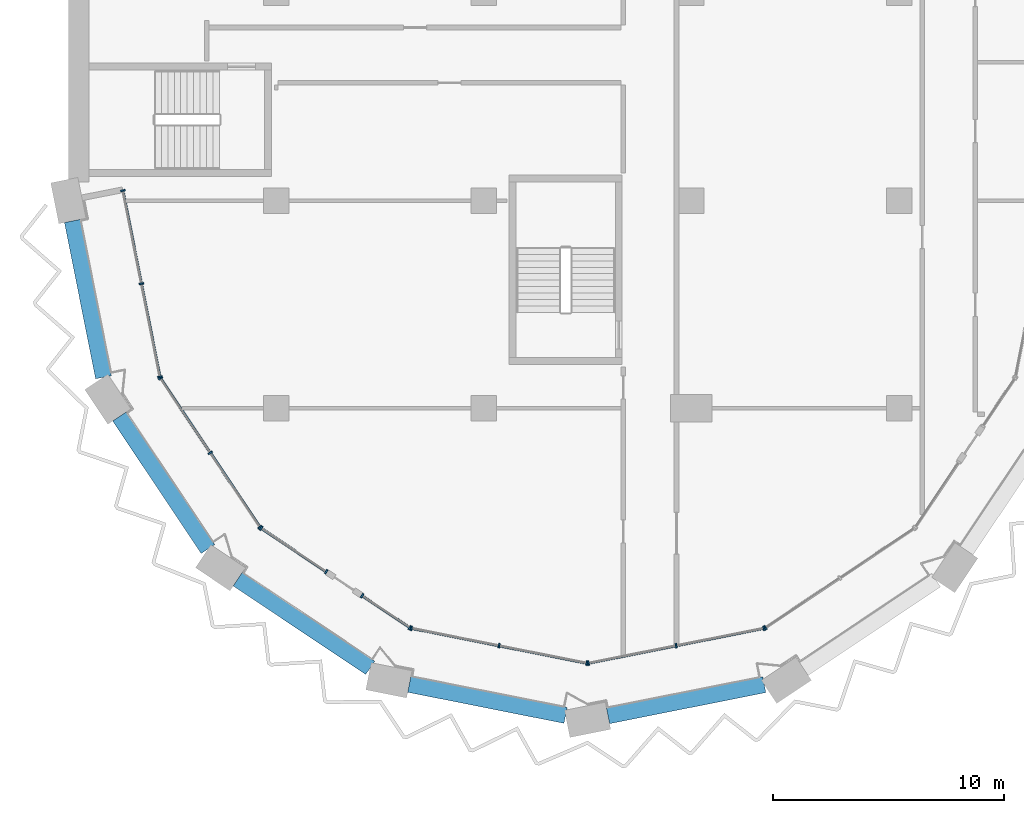
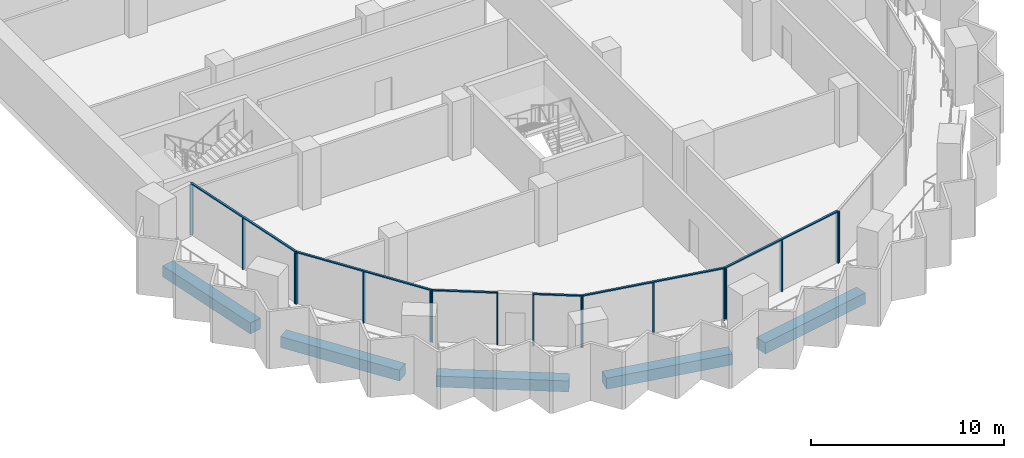
# One storey, part 2 of 17: 23 members, 5 beams, 7 elements without a shape of their own.
"""IFC4 building model written with IfcOpenShell, lengths in metres."""

from ifc_helpers import new_model, si_unit, direction, frame, origin, origin_2d, place, context, subcontext, project, spatial, rectangle, extrude, material, material_profile, profile_set, type_object, element, aggregate, save


model = new_model("IFC4")

# Units and contexts
model_context = context("Model", 3, precision=1e-05, world=origin(), true_north=direction((0.0, 1.0)))
body_context = subcontext(model_context, "Body", "Model", "MODEL_VIEW")
ifc_project = project(units=[si_unit("LENGTHUNIT", "METRE"), si_unit("AREAUNIT", "SQUARE_METRE"), si_unit("VOLUMEUNIT", "CUBIC_METRE"), si_unit("PLANEANGLEUNIT", "RADIAN"), si_unit("MASSUNIT", "GRAM", prefix="KILO")], contexts=[model_context])

# Site, building, storey
site_placement = place(None, origin())
site = spatial("IfcSite", under=ifc_project, at=site_placement, CompositionType="ELEMENT")
building_placement = place(site_placement, origin())
building = spatial("IfcBuilding", under=site, at=building_placement, Name="Hunhe Ridgeline Campus", CompositionType="ELEMENT")
storey_placement = place(building_placement, frame((0.0, 0.0, 201.300048828125)))
storey = spatial("IfcBuildingStorey", under=building, at=storey_placement, Name="L51", CompositionType="ELEMENT", Elevation=201.300048828125)

# Curtain wall, members
ifc_material_1 = material(Name="Aluminium 6063", Category="aluminium")
curtain_wall_type = type_object("IfcCurtainWallType", Name="Curtain wall CW-5", PredefinedType="NOTDEFINED", material=ifc_material_1)
curtain_wall_1_placement = place(storey_placement, origin())
curtain_wall_1 = element("IfcCurtainWall", 1, at=curtain_wall_1_placement, inside=storey, type_object=curtain_wall_type, Name="Curtain wall 01", PredefinedType="NOTDEFINED")
ifc_material_profile_1 = material_profile(ifc_material_1, rectangle(XDim=0.199951171875, YDim=0.070068359375, at=origin_2d()))
ifc_profile_set_1 = profile_set([ifc_material_profile_1], Name="Aluminium 6063")
member_type_1 = type_object("IfcMemberType", Name="CW-5 aluminium mullion", PredefinedType="MULLION", material=ifc_profile_set_1)
member_1_placement = place(storey_placement, frame((2.361572265625, 36.434326171875, 0.0), z_axis=(0.0, 0.0, 1.0), x_axis=(0.980784280831, 0.195095347137, 0.0)))
member_1 = element("IfcMember", 2, at=member_1_placement, type_object=member_type_1, Name="CW-5 mullion 1", PredefinedType="MULLION", context=body_context, shape_type="SweptSolid", body=[
    extrude(rectangle(XDim=0.199951171875, YDim=0.070068359375, at=origin_2d()), origin(), (0.0, 0.0, 1.0), 3.22998046875),
])
member_2_placement = place(storey_placement, frame((3.16455078125, 32.3974609375, 0.0), z_axis=(0.0, 0.0, 1.0), x_axis=(0.980784280831, 0.195095347137, 0.0)))
member_2 = element("IfcMember", 3, at=member_2_placement, type_object=member_type_1, Name="CW-5 mullion 2", PredefinedType="MULLION", context=body_context, shape_type="SweptSolid", body=[
    extrude(rectangle(XDim=0.199951171875, YDim=0.070068359375, at=origin_2d()), origin(), (0.0, 0.0, 1.0), 3.22998046875),
])
member_3_placement = place(storey_placement, frame((3.967529296875, 28.36083984375, 0.0), z_axis=(0.0, 0.0, 1.0), x_axis=(0.980784280831, 0.195095347137, 0.0)))
member_3 = element("IfcMember", 4, at=member_3_placement, type_object=member_type_1, Name="CW-5 mullion 3", PredefinedType="MULLION", context=body_context, shape_type="SweptSolid", body=[
    extrude(rectangle(XDim=0.199951171875, YDim=0.070068359375, at=origin_2d()), origin(), (0.0, 0.0, 1.0), 3.22998046875),
])

curtain_wall_2_placement = place(storey_placement, origin())
curtain_wall_2 = element("IfcCurtainWall", 5, at=curtain_wall_2_placement, inside=storey, type_object=curtain_wall_type, Name="Curtain wall 02", PredefinedType="NOTDEFINED")
member_4_placement = place(storey_placement, frame((3.993896484375, 28.29736328125, 0.0), z_axis=(0.0, 0.0, 1.0), x_axis=(0.831469584522, 0.555570274596, 0.0)))
member_4 = element("IfcMember", 6, at=member_4_placement, type_object=member_type_1, Name="CW-5 mullion 1", PredefinedType="MULLION", context=body_context, shape_type="SweptSolid", body=[
    extrude(rectangle(XDim=0.199951171875, YDim=0.070068359375, at=origin_2d()), origin(), (0.0, 0.0, 1.0), 3.22998046875),
])
member_5_placement = place(storey_placement, frame((6.147705078125, 25.07373046875, 0.0), z_axis=(0.0, 0.0, 1.0), x_axis=(0.831469584522, 0.555570274596, 0.0)))
member_5 = element("IfcMember", 7, at=member_5_placement, type_object=member_type_1, Name="CW-5 mullion 2", PredefinedType="MULLION", context=body_context, shape_type="SweptSolid", body=[
    extrude(rectangle(XDim=0.199951171875, YDim=0.070068359375, at=origin_2d()), origin(), (0.0, 0.0, 1.0), 3.22998046875),
])
member_6_placement = place(storey_placement, frame((8.3017578125, 21.850341796875, 0.0), z_axis=(0.0, 0.0, 1.0), x_axis=(0.831469584522, 0.555570274596, 0.0)))
member_6 = element("IfcMember", 8, at=member_6_placement, type_object=member_type_1, Name="CW-5 mullion 3", PredefinedType="MULLION", context=body_context, shape_type="SweptSolid", body=[
    extrude(rectangle(XDim=0.199951171875, YDim=0.070068359375, at=origin_2d()), origin(), (0.0, 0.0, 1.0), 3.22998046875),
])

curtain_wall_3_placement = place(storey_placement, origin())
curtain_wall_3 = element("IfcCurtainWall", 9, at=curtain_wall_3_placement, inside=storey, type_object=curtain_wall_type, Name="Curtain wall 03", PredefinedType="NOTDEFINED")
member_7_placement = place(storey_placement, frame((8.350341796875, 21.8017578125, 0.0), z_axis=(0.0, 0.0, 1.0), x_axis=(0.555570257501, 0.831469595944, 0.0)))
member_7 = element("IfcMember", 10, at=member_7_placement, type_object=member_type_1, Name="CW-5 mullion 1", PredefinedType="MULLION", context=body_context, shape_type="SweptSolid", body=[
    extrude(rectangle(XDim=0.199951171875, YDim=0.070068359375, at=origin_2d()), origin(), (0.0, 0.0, 1.0), 3.22998046875),
])
member_8_placement = place(storey_placement, frame((11.17041015625, 19.917236328125, 0.0), z_axis=(0.0, 0.0, 1.0), x_axis=(0.555570257501, 0.831469595944, 0.0)))
member_8 = element("IfcMember", 11, at=member_8_placement, type_object=member_type_1, Name="CW-5 mullion 2", PredefinedType="MULLION", context=body_context, shape_type="SweptSolid", body=[
    extrude(rectangle(XDim=0.199951171875, YDim=0.070068359375, at=origin_2d()), origin(), (0.0, 0.0, 1.0), 3.22998046875),
])

curtain_wall_4_placement = place(storey_placement, origin())
curtain_wall_4 = element("IfcCurtainWall", 12, at=curtain_wall_4_placement, inside=storey, type_object=curtain_wall_type, Name="Curtain wall 04", PredefinedType="NOTDEFINED")
member_9_placement = place(storey_placement, frame((12.725341796875, 18.87841796875, 0.0), z_axis=(0.0, 0.0, 1.0), x_axis=(0.555570385598, 0.831469510353, 0.0)))
member_9 = element("IfcMember", 13, at=member_9_placement, type_object=member_type_1, Name="CW-5 mullion 1", PredefinedType="MULLION", context=body_context, shape_type="SweptSolid", body=[
    extrude(rectangle(XDim=0.199951171875, YDim=0.070068359375, at=origin_2d()), origin(), (0.0, 0.0, 1.0), 3.22998046875),
])
member_10_placement = place(storey_placement, frame((14.79736328125, 17.493896484375, 0.0), z_axis=(0.0, 0.0, 1.0), x_axis=(0.555570385598, 0.831469510353, 0.0)))
member_10 = element("IfcMember", 14, at=member_10_placement, type_object=member_type_1, Name="CW-5 mullion 2", PredefinedType="MULLION", context=body_context, shape_type="SweptSolid", body=[
    extrude(rectangle(XDim=0.199951171875, YDim=0.070068359375, at=origin_2d()), origin(), (0.0, 0.0, 1.0), 3.22998046875),
])

curtain_wall_5_placement = place(storey_placement, origin())
curtain_wall_5 = element("IfcCurtainWall", 15, at=curtain_wall_5_placement, inside=storey, type_object=curtain_wall_type, Name="Curtain wall 05", PredefinedType="NOTDEFINED")
member_11_placement = place(storey_placement, frame((14.86083984375, 17.467529296875, 0.0), z_axis=(0.0, 0.0, 1.0), x_axis=(0.195090347539, 0.980785275326, 0.0)))
member_11 = element("IfcMember", 16, at=member_11_placement, type_object=member_type_1, Name="CW-5 mullion 1", PredefinedType="MULLION", context=body_context, shape_type="SweptSolid", body=[
    extrude(rectangle(XDim=0.199951171875, YDim=0.070068359375, at=origin_2d()), origin(), (0.0, 0.0, 1.0), 3.22998046875),
])
member_12_placement = place(storey_placement, frame((18.663330078125, 16.711181640625, 0.0), z_axis=(0.0, 0.0, 1.0), x_axis=(0.195090347539, 0.980785275326, 0.0)))
member_12 = element("IfcMember", 17, at=member_12_placement, type_object=member_type_1, Name="CW-5 mullion 2", PredefinedType="MULLION", context=body_context, shape_type="SweptSolid", body=[
    extrude(rectangle(XDim=0.199951171875, YDim=0.070068359375, at=origin_2d()), origin(), (0.0, 0.0, 1.0), 3.22998046875),
])
member_13_placement = place(storey_placement, frame((22.465576171875, 15.954833984375, 0.0), z_axis=(0.0, 0.0, 1.0), x_axis=(0.195090347539, 0.980785275326, 0.0)))
member_13 = element("IfcMember", 18, at=member_13_placement, type_object=member_type_1, Name="CW-5 mullion 3", PredefinedType="MULLION", context=body_context, shape_type="SweptSolid", body=[
    extrude(rectangle(XDim=0.199951171875, YDim=0.070068359375, at=origin_2d()), origin(), (0.0, 0.0, 1.0), 3.22998046875),
])

curtain_wall_6_placement = place(storey_placement, origin())
curtain_wall_6 = element("IfcCurtainWall", 19, at=curtain_wall_6_placement, inside=storey, type_object=curtain_wall_type, Name="Curtain wall 06", PredefinedType="NOTDEFINED")
member_14_placement = place(storey_placement, frame((22.534423828125, 15.954833984375, 0.0), z_axis=(0.0, 0.0, 1.0), x_axis=(-0.195090347539, 0.980785275326, 0.0)))
member_14 = element("IfcMember", 20, at=member_14_placement, type_object=member_type_1, Name="CW-5 mullion 1", PredefinedType="MULLION", context=body_context, shape_type="SweptSolid", body=[
    extrude(rectangle(XDim=0.199951171875, YDim=0.070068359375, at=origin_2d()), origin(), (0.0, 0.0, 1.0), 3.22998046875),
])
member_15_placement = place(storey_placement, frame((26.336669921875, 16.711181640625, 0.0), z_axis=(0.0, 0.0, 1.0), x_axis=(-0.195090347539, 0.980785275326, 0.0)))
member_15 = element("IfcMember", 21, at=member_15_placement, type_object=member_type_1, Name="CW-5 mullion 2", PredefinedType="MULLION", context=body_context, shape_type="SweptSolid", body=[
    extrude(rectangle(XDim=0.199951171875, YDim=0.070068359375, at=origin_2d()), origin(), (0.0, 0.0, 1.0), 3.22998046875),
])
member_16_placement = place(storey_placement, frame((30.13916015625, 17.467529296875, 0.0), z_axis=(0.0, 0.0, 1.0), x_axis=(-0.195090347539, 0.980785275326, 0.0)))
member_16 = element("IfcMember", 22, at=member_16_placement, type_object=member_type_1, Name="CW-5 mullion 3", PredefinedType="MULLION", context=body_context, shape_type="SweptSolid", body=[
    extrude(rectangle(XDim=0.199951171875, YDim=0.070068359375, at=origin_2d()), origin(), (0.0, 0.0, 1.0), 3.22998046875),
])

# Curtain wall, member
curtain_wall_7_placement = place(storey_placement, origin())
curtain_wall_7 = element("IfcCurtainWall", 23, at=curtain_wall_7_placement, inside=storey, type_object=curtain_wall_type, Name="Curtain wall 07", PredefinedType="NOTDEFINED")
member_17_placement = place(storey_placement, frame((30.20263671875, 17.493896484375, 0.0), z_axis=(0.0, 0.0, 1.0), x_axis=(-0.555570274596, 0.831469584522, 0.0)))
member_17 = element("IfcMember", 24, at=member_17_placement, type_object=member_type_1, Name="CW-5 mullion 1", PredefinedType="MULLION", context=body_context, shape_type="SweptSolid", body=[
    extrude(rectangle(XDim=0.199951171875, YDim=0.070068359375, at=origin_2d()), origin(), (0.0, 0.0, 1.0), 3.22998046875),
])
aggregate(curtain_wall_7, [member_17])

# Member
ifc_material_profile_2 = material_profile(ifc_material_1, rectangle(XDim=0.1201171875, YDim=0.070068359375, at=origin_2d()))
ifc_profile_set_2 = profile_set([ifc_material_profile_2], Name="Aluminium 6063")
member_type_2 = type_object("IfcMemberType", Name="CW-5 aluminium transom", PredefinedType="USERDEFINED", material=ifc_profile_set_2)
member_18_placement = place(storey_placement, frame((2.354736328125, 36.46875, 3.264892578125), z_axis=(0.195092405068, -0.980784866056, 0.0), x_axis=(0.980784866056, 0.195092405068, 0.0)))
member_18 = element("IfcMember", 25, at=member_18_placement, type_object=member_type_2, Name="CW-5 transom 1", ObjectType="TRANSOM", PredefinedType="USERDEFINED", context=body_context, shape_type="SweptSolid", body=[
    extrude(rectangle(XDim=0.1201171875, YDim=0.070068359375, at=origin_2d()), origin(), (0.0, 0.0, 1.0), 8.3017578125),
])

aggregate(curtain_wall_1, [member_18, member_1, member_2, member_3])

member_19_placement = place(storey_placement, frame((3.974365234375, 28.326416015625, 3.264892578125), z_axis=(0.5555640203, -0.831473763475, 0.0), x_axis=(0.831473763475, 0.5555640203, 0.0)))
member_19 = element("IfcMember", 26, at=member_19_placement, type_object=member_type_2, Name="CW-5 transom 1", ObjectType="TRANSOM", PredefinedType="USERDEFINED", context=body_context, shape_type="SweptSolid", body=[
    extrude(rectangle(XDim=0.1201171875, YDim=0.070068359375, at=origin_2d()), origin(), (0.0, 0.0, 1.0), 7.823974609375),
])

aggregate(curtain_wall_2, [member_19, member_4, member_5, member_6])

member_20_placement = place(storey_placement, frame((8.321044921875, 21.821044921875, 3.264892578125), z_axis=(0.831485714606, -0.555546133463, 0.0), x_axis=(0.555546133463, 0.831485714606, 0.0)))
member_20 = element("IfcMember", 27, at=member_20_placement, type_object=member_type_2, Name="CW-5 transom 1", ObjectType="TRANSOM", PredefinedType="USERDEFINED", context=body_context, shape_type="SweptSolid", body=[
    extrude(rectangle(XDim=0.1201171875, YDim=0.070068359375, at=origin_2d()), origin(), (0.0, 0.0, 1.0), 3.462158203125),
])

aggregate(curtain_wall_3, [member_20, member_7, member_8])

member_21_placement = place(storey_placement, frame((12.6962890625, 18.897705078125, 3.264892578125), z_axis=(0.831463388334, -0.555579547735, 0.0), x_axis=(0.555579547735, 0.831463388334, 0.0)))
member_21 = element("IfcMember", 28, at=member_21_placement, type_object=member_type_2, Name="CW-5 transom 1", ObjectType="TRANSOM", PredefinedType="USERDEFINED", context=body_context, shape_type="SweptSolid", body=[
    extrude(rectangle(XDim=0.1201171875, YDim=0.070068359375, at=origin_2d()), origin(), (0.0, 0.0, 1.0), 2.56201171875),
])

aggregate(curtain_wall_4, [member_21, member_9, member_10])

member_22_placement = place(storey_placement, frame((14.826416015625, 17.474365234375, 3.264892578125), z_axis=(0.980785367689, -0.195089883198, 0.0), x_axis=(0.195089883198, 0.980785367689, 0.0)))
member_22 = element("IfcMember", 29, at=member_22_placement, type_object=member_type_2, Name="CW-5 transom 1", ObjectType="TRANSOM", PredefinedType="USERDEFINED", context=body_context, shape_type="SweptSolid", body=[
    extrude(rectangle(XDim=0.1201171875, YDim=0.070068359375, at=origin_2d()), origin(), (0.0, 0.0, 1.0), 7.823974609375),
])

aggregate(curtain_wall_5, [member_22, member_11, member_12, member_13])

member_23_placement = place(storey_placement, frame((22.5, 15.947998046875, 3.264892578125), z_axis=(0.980785367689, 0.195089883198, 0.0), x_axis=(-0.195089883198, 0.980785367689, 0.0)))
member_23 = element("IfcMember", 30, at=member_23_placement, type_object=member_type_2, Name="CW-5 transom 1", ObjectType="TRANSOM", PredefinedType="USERDEFINED", context=body_context, shape_type="SweptSolid", body=[
    extrude(rectangle(XDim=0.1201171875, YDim=0.070068359375, at=origin_2d()), origin(), (0.0, 0.0, 1.0), 7.823974609375),
])

aggregate(curtain_wall_6, [member_23, member_14, member_15, member_16])

# Beams
ifc_material_2 = material(Name="Concrete C50", Category="concrete")
ifc_material_profile_3 = material_profile(ifc_material_2, rectangle(XDim=0.699951171875, YDim=0.699951171875, at=origin_2d()))
ifc_profile_set_3 = profile_set([ifc_material_profile_3], Name="Concrete C50")
beam_type = type_object("IfcBeamType", Name="RC spandrel beam 700x700 Concrete C50", PredefinedType="SPANDREL", material=ifc_profile_set_3)
for number, where, z_axis, x_axis, name in (
    (31, (0.175537109375, 35.1171875, -0.60009765625), (0.195102900975, -0.980782778209, 0.0), (0.980782778209, 0.195102900975, 0.0), "Spandrel beam B3-1 L51"),
    (32, (2.212646484375, 26.641357421875, -0.60009765625), (0.55557295, -0.831467796868, 0.0), (0.831467796868, 0.55557295, 0.0), "Spandrel beam B3-2 L51"),
    (33, (7.33837890625, 19.590087890625, -0.60009765625), (0.831467796868, -0.55557295, 0.0), (0.55557295, 0.831467796868, 0.0), "Spandrel beam B3-3 L51"),
    (34, (14.772216796875, 15.037109375, -0.60009765625), (0.980784124029, -0.195096135414, 0.0), (0.195096135414, 0.980784124029, 0.0), "Spandrel beam B3-4 L51"),
    (35, (23.3828125, 13.675537109375, -0.60009765625), (0.980782778209, 0.195102900975, 0.0), (-0.195102900975, 0.980782778209, 0.0), "Spandrel beam B3-5 L51"),
):
    element("IfcBeam", number, at=place(storey_placement, frame(where, z_axis=z_axis, x_axis=x_axis)), inside=storey, type_object=beam_type, Name=name, PredefinedType="SPANDREL", context=body_context, shape_type="SweptSolid", body=[
        extrude(rectangle(XDim=0.699951171875, YDim=0.699951171875, at=origin_2d()), origin(), (0.0, 0.0, 1.0), 6.905029296875),
    ])

save(model, "model.ifc")
